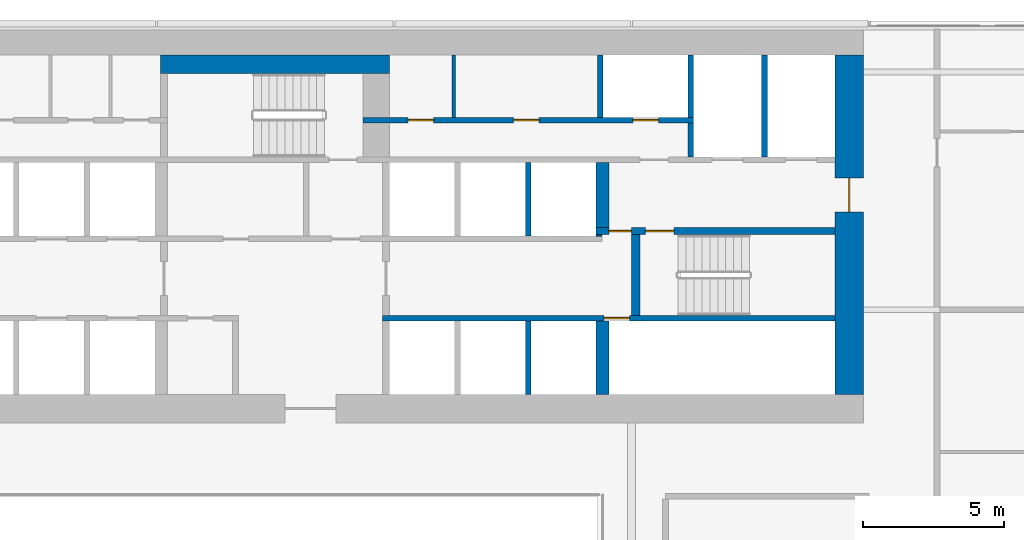
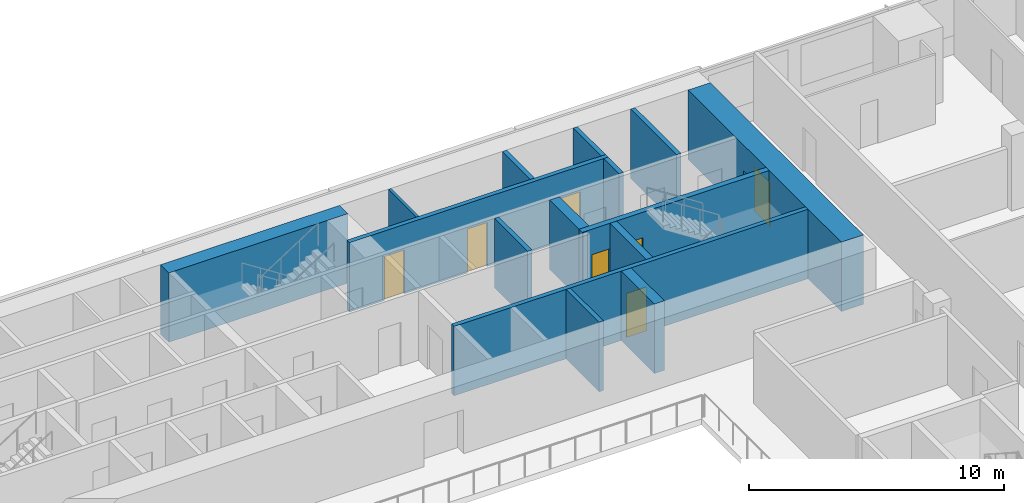
# One storey, part 22 of 27: 16 walls, 7 doors, 7 openings.
"""IFC4 building model written with IfcOpenShell, lengths in metres."""

from ifc_helpers import new_model, si_unit, direction, frame, frame_2d, origin, place, context, subcontext, project, spatial, rectangle, extrude, material, layer, layer_set, type_object, element, fill, save


model = new_model("IFC4")

# Units and contexts
model_context = context("Model", 3, precision=1e-05, world=origin(), true_north=direction((0.0, 1.0)))
body_context = subcontext(model_context, "Body", "Model", "MODEL_VIEW")
ifc_project = project(units=[si_unit("LENGTHUNIT", "METRE"), si_unit("AREAUNIT", "SQUARE_METRE"), si_unit("VOLUMEUNIT", "CUBIC_METRE"), si_unit("PLANEANGLEUNIT", "RADIAN"), si_unit("MASSUNIT", "GRAM", prefix="KILO")], contexts=[model_context])

# Site, building, storey
site_placement = place(None, origin())
site = spatial("IfcSite", under=ifc_project, at=site_placement, CompositionType="ELEMENT")
building_placement = place(site_placement, origin())
building = spatial("IfcBuilding", under=site, at=building_placement, Name="Saffron Gate Tower", CompositionType="ELEMENT")
storey_placement = place(building_placement, frame((0.0, 0.0, 109.64990234375)))
storey = spatial("IfcBuildingStorey", under=building, at=storey_placement, Name="L25", CompositionType="ELEMENT", Elevation=109.64990234375)

# Wall, opening, door
ifc_material_1 = material(Name="Concrete C70", Category="concrete")
ifc_layer_1 = layer(ifc_material_1, 1.0)
ifc_layer_set_1 = layer_set([ifc_layer_1], Name="CW12 RC core wall 1000 C70")
wall_type_1 = type_object("IfcWallType", Name="CW12 RC core wall 1000 C70", PredefinedType="SOLIDWALL", material=ifc_layer_set_1)
wall_1_placement = place(storey_placement, frame((107.89990234375, 62.39990234375, 0.0), z_axis=(0.0, 0.0, 1.0), x_axis=(0.0, 1.0, 0.0)))
wall_1 = element("IfcWall", 1, at=wall_1_placement, inside=storey, type_object=wall_type_1, Name="Wall CW12-L25-4", PredefinedType="SOLIDWALL", context=body_context, shape_type="SweptSolid", body=[
    extrude(rectangle(XDim=12.0, YDim=1.0, at=frame_2d((6.0, 0.0))), origin(), (0.0, 0.0, 1.0), 3.320068359375),
])
opening_1_placement = place(wall_1_placement, frame((6.449951171875, 0.0, 0.0)))
opening_1 = element("IfcOpeningElement", 2, at=opening_1_placement, cuts=wall_1, Name="Opening CR-08", PredefinedType="OPENING", context=body_context, shape_type="SweptSolid", body=[
    extrude(rectangle(XDim=1.199951171875, YDim=2.10009765625, at=frame_2d((0.60009765625, 1.050048828125))), frame((0.0, 0.510009765625, 0.0), z_axis=(0.0, -1.0, 0.0), x_axis=(1.0, 0.0, 0.0)), (0.0, 0.0, 1.0), 1.02001953125),
])
ifc_material_2 = material(Name="Steel fire door set", Category="steel")
door_type_1 = type_object("IfcDoorType", Name="CD7 Core entrance door 1200x2100 EI 120", OperationType="NOTDEFINED", PredefinedType="DOOR", material=ifc_material_2)
door_1_placement = place(opening_1_placement, origin())
door_1 = element("IfcDoor", 3, at=door_1_placement, inside=storey, type_object=door_type_1, Name="DOOR CR-08", OperationType="SINGLE_SWING_RIGHT", OverallHeight=2.10009765625, OverallWidth=1.199951171875, PredefinedType="DOOR", context=body_context, shape_type="SweptSolid", body=[
    extrude(rectangle(XDim=1.199951171875, YDim=2.10009765625, at=frame_2d((0.60009765625, 1.050048828125))), frame((0.0, 0.02490234375, 0.0), z_axis=(0.0, -1.0, 0.0), x_axis=(1.0, 0.0, 0.0)), (0.0, 0.0, 1.0), 0.050048828125),
])
fill(opening_1, door_1)

# Wall, openings, doors
ifc_layer_2 = layer(ifc_material_1, 0.25)
ifc_layer_set_2 = layer_set([ifc_layer_2], Name="CW2 RC core wall 250 C70")
wall_type_2 = type_object("IfcWallType", Name="CW2 RC core wall 250 C70", PredefinedType="SOLIDWALL", material=ifc_layer_set_2)
wall_2_placement = place(storey_placement, frame((98.949951171875, 68.175048828125, 0.0), z_axis=(0.0, 0.0, 1.0), x_axis=(1.0, 0.0, 0.0)))
wall_2 = element("IfcWall", 4, at=wall_2_placement, inside=storey, type_object=wall_type_2, Name="Wall CW2-L25-30", PredefinedType="SOLIDWALL", context=body_context, shape_type="SweptSolid", body=[
    extrude(rectangle(XDim=8.449951171875, YDim=0.25, at=frame_2d((4.22509765625, 0.0))), origin(), (0.0, 0.0, 1.0), 3.320068359375),
])
opening_2_placement = place(wall_2_placement, frame((0.449951171875, 0.0, 0.0)))
opening_2 = element("IfcOpeningElement", 5, at=opening_2_placement, cuts=wall_2, Name="Opening CR-05", PredefinedType="OPENING", context=body_context, shape_type="SweptSolid", body=[
    extrude(rectangle(XDim=0.800048828125, YDim=2.10009765625, at=frame_2d((0.39990234375, 1.050048828125))), frame((0.0, 0.135009765625, 0.0), z_axis=(0.0, -1.0, 0.0), x_axis=(1.0, 0.0, 0.0)), (0.0, 0.0, 1.0), 0.27001953125),
])
opening_3_placement = place(wall_2_placement, frame((1.75, 0.0, 0.0)))
opening_3 = element("IfcOpeningElement", 6, at=opening_3_placement, cuts=wall_2, Name="Opening CR-16", PredefinedType="OPENING", context=body_context, shape_type="SweptSolid", body=[
    extrude(rectangle(XDim=1.0, YDim=2.10009765625, at=frame_2d((0.5, 1.050048828125))), frame((0.0, 0.135009765625, 0.0), z_axis=(0.0, -1.0, 0.0), x_axis=(1.0, 0.0, 0.0)), (0.0, 0.0, 1.0), 0.27001953125),
])
door_type_2 = type_object("IfcDoorType", Name="CD5 Stair door 1000x2100 EI 120", OperationType="NOTDEFINED", PredefinedType="DOOR", material=ifc_material_2)
door_2_placement = place(opening_3_placement, origin())
door_2 = element("IfcDoor", 7, at=door_2_placement, inside=storey, type_object=door_type_2, Name="DOOR CR-16", OperationType="SINGLE_SWING_RIGHT", OverallHeight=2.10009765625, OverallWidth=1.0, PredefinedType="DOOR", context=body_context, shape_type="SweptSolid", body=[
    extrude(rectangle(XDim=1.0, YDim=2.10009765625, at=frame_2d((0.5, 1.050048828125))), frame((0.0, 0.02490234375, 0.0), z_axis=(0.0, -1.0, 0.0), x_axis=(1.0, 0.0, 0.0)), (0.0, 0.0, 1.0), 0.050048828125),
])
fill(opening_3, door_2)
door_type_3 = type_object("IfcDoorType", Name="CD6 Lobby door 800x2100 EI 120", OperationType="NOTDEFINED", PredefinedType="DOOR", material=ifc_material_2)
door_3_placement = place(opening_2_placement, origin())
door_3 = element("IfcDoor", 8, at=door_3_placement, inside=storey, type_object=door_type_3, Name="DOOR CR-05", OperationType="SINGLE_SWING_LEFT", OverallHeight=2.10009765625, OverallWidth=0.800048828125, PredefinedType="DOOR", context=body_context, shape_type="SweptSolid", body=[
    extrude(rectangle(XDim=0.800048828125, YDim=2.10009765625, at=frame_2d((0.39990234375, 1.050048828125))), frame((0.0, 0.02490234375, 0.0), z_axis=(0.0, -1.0, 0.0), x_axis=(1.0, 0.0, 0.0)), (0.0, 0.0, 1.0), 0.050048828125),
])
fill(opening_2, door_3)

# Wall
ifc_layer_3 = layer(ifc_material_1, 0.199951171875)
ifc_layer_set_3 = layer_set([ifc_layer_3], Name="CW3 RC core wall 200 C70")
wall_type_3 = type_object("IfcWallType", Name="CW3 RC core wall 200 C70", PredefinedType="SOLIDWALL", material=ifc_layer_set_3)
wall_3_placement = place(storey_placement, frame((96.550048828125, 62.39990234375, 0.0), z_axis=(0.0, 0.0, 1.0), x_axis=(0.0, 1.0, 0.0)))
element("IfcWall", 9, at=wall_3_placement, inside=storey, type_object=wall_type_3, Name="Wall CW3-L25-12", PredefinedType="SOLIDWALL", context=body_context, shape_type="SweptSolid", body=[
    extrude(rectangle(XDim=2.60009765625, YDim=0.199951171875, at=frame_2d((1.300048828125, 0.0))), origin(), (0.0, 0.0, 1.0), 3.320068359375),
])

# Wall, opening, door
wall_4_placement = place(storey_placement, frame((91.39990234375, 65.10009765625, 0.0), z_axis=(0.0, 0.0, 1.0), x_axis=(1.0, 0.0, 0.0)))
wall_4 = element("IfcWall", 10, at=wall_4_placement, inside=storey, type_object=wall_type_3, Name="Wall CW3-L25-15", PredefinedType="SOLIDWALL", context=body_context, shape_type="SweptSolid", body=[
    extrude(rectangle(XDim=16.0, YDim=0.199951171875, at=frame_2d((8.0, 0.0))), origin(), (0.0, 0.0, 1.0), 3.320068359375),
])
opening_4_placement = place(wall_4_placement, frame((7.830078125, 0.0, 0.0)))
opening_4 = element("IfcOpeningElement", 11, at=opening_4_placement, cuts=wall_4, Name="Opening CR-48", PredefinedType="OPENING", context=body_context, shape_type="SweptSolid", body=[
    extrude(rectangle(XDim=0.89990234375, YDim=2.10009765625, at=frame_2d((0.449951171875, 1.050048828125))), frame((0.0, 0.10986328125, 0.0), z_axis=(0.0, -1.0, 0.0), x_axis=(1.0, 0.0, 0.0)), (0.0, 0.0, 1.0), 0.219970703125),
])
door_type_4 = type_object("IfcDoorType", Name="CD2 Riser door 900x2100 EI 60", OperationType="NOTDEFINED", PredefinedType="DOOR", material=ifc_material_2)
door_4_placement = place(opening_4_placement, origin())
door_4 = element("IfcDoor", 12, at=door_4_placement, inside=storey, type_object=door_type_4, Name="DOOR CR-48", OperationType="SINGLE_SWING_RIGHT", OverallHeight=2.10009765625, OverallWidth=0.89990234375, PredefinedType="DOOR", context=body_context, shape_type="SweptSolid", body=[
    extrude(rectangle(XDim=0.89990234375, YDim=2.10009765625, at=frame_2d((0.449951171875, 1.050048828125))), frame((0.0, 0.02490234375, 0.0), z_axis=(0.0, -1.0, 0.0), x_axis=(1.0, 0.0, 0.0)), (0.0, 0.0, 1.0), 0.050048828125),
])
fill(opening_4, door_4)

# Walls
wall_5_placement = place(storey_placement, frame((96.550048828125, 68.0, 0.0), z_axis=(0.0, 0.0, 1.0), x_axis=(0.0, 1.0, 0.0)))
element("IfcWall", 13, at=wall_5_placement, inside=storey, type_object=wall_type_3, Name="Wall CW3-L25-27", PredefinedType="SOLIDWALL", context=body_context, shape_type="SweptSolid", body=[
    extrude(rectangle(XDim=2.60009765625, YDim=0.199951171875, at=frame_2d((1.300048828125, 0.0))), origin(), (0.0, 0.0, 1.0), 3.320068359375),
])
wall_6_placement = place(storey_placement, frame((102.300048828125, 70.800048828125, 0.0), z_axis=(0.0, 0.0, 1.0), x_axis=(0.0, 1.0, 0.0)))
element("IfcWall", 14, at=wall_6_placement, inside=storey, type_object=wall_type_3, Name="Wall CW3-L25-38", PredefinedType="SOLIDWALL", context=body_context, shape_type="SweptSolid", body=[
    extrude(rectangle(XDim=1.199951171875, YDim=0.199951171875, at=frame_2d((0.60009765625, 0.0))), origin(), (0.0, 0.0, 1.0), 3.320068359375),
])
wall_7_placement = place(storey_placement, frame((104.89990234375, 70.800048828125, 0.0), z_axis=(0.0, 0.0, 1.0), x_axis=(0.0, 1.0, 0.0)))
element("IfcWall", 15, at=wall_7_placement, inside=storey, type_object=wall_type_3, Name="Wall CW3-L25-39", PredefinedType="SOLIDWALL", context=body_context, shape_type="SweptSolid", body=[
    extrude(rectangle(XDim=3.599853515625, YDim=0.199951171875, at=frame_2d((1.7998046875, 0.0))), origin(), (0.0, 0.0, 1.0), 3.320068359375),
])

# Wall, openings, doors
wall_8_placement = place(storey_placement, frame((90.699951171875, 72.10009765625, 0.0), z_axis=(0.0, 0.0, 1.0), x_axis=(1.0, 0.0, 0.0)))
wall_8 = element("IfcWall", 16, at=wall_8_placement, inside=storey, type_object=wall_type_3, Name="Wall CW3-L25-41", PredefinedType="SOLIDWALL", context=body_context, shape_type="SweptSolid", body=[
    extrude(rectangle(XDim=11.699951171875, YDim=0.199951171875, at=frame_2d((5.85009765625, 0.0))), origin(), (0.0, 0.0, 1.0), 3.320068359375),
])
opening_5_placement = place(wall_8_placement, frame((1.60009765625, 0.0, 0.0)))
opening_5 = element("IfcOpeningElement", 17, at=opening_5_placement, cuts=wall_8, Name="Opening CR-50", PredefinedType="OPENING", context=body_context, shape_type="SweptSolid", body=[
    extrude(rectangle(XDim=0.89990234375, YDim=2.10009765625, at=frame_2d((0.449951171875, 1.050048828125))), frame((0.0, 0.10986328125, 0.0), z_axis=(0.0, -1.0, 0.0), x_axis=(1.0, 0.0, 0.0)), (0.0, 0.0, 1.0), 0.219970703125),
])
opening_6_placement = place(wall_8_placement, frame((5.3349609375, 0.0, 0.0)))
opening_6 = element("IfcOpeningElement", 18, at=opening_6_placement, cuts=wall_8, Name="Opening CR-53", PredefinedType="OPENING", context=body_context, shape_type="SweptSolid", body=[
    extrude(rectangle(XDim=0.89990234375, YDim=2.10009765625, at=frame_2d((0.449951171875, 1.050048828125))), frame((0.0, 0.10986328125, 0.0), z_axis=(0.0, -1.0, 0.0), x_axis=(1.0, 0.0, 0.0)), (0.0, 0.0, 1.0), 0.219970703125),
])
opening_7_placement = place(wall_8_placement, frame((9.550048828125, 0.0, 0.0)))
opening_7 = element("IfcOpeningElement", 19, at=opening_7_placement, cuts=wall_8, Name="Opening CR-70", PredefinedType="OPENING", context=body_context, shape_type="SweptSolid", body=[
    extrude(rectangle(XDim=0.89990234375, YDim=2.10009765625, at=frame_2d((0.449951171875, 1.050048828125))), frame((0.0, 0.10986328125, 0.0), z_axis=(0.0, -1.0, 0.0), x_axis=(1.0, 0.0, 0.0)), (0.0, 0.0, 1.0), 0.219970703125),
])
door_5_placement = place(opening_7_placement, origin())
door_5 = element("IfcDoor", 20, at=door_5_placement, inside=storey, type_object=door_type_4, Name="DOOR CR-70", OperationType="SINGLE_SWING_LEFT", OverallHeight=2.10009765625, OverallWidth=0.89990234375, PredefinedType="DOOR", context=body_context, shape_type="SweptSolid", body=[
    extrude(rectangle(XDim=0.89990234375, YDim=2.10009765625, at=frame_2d((0.449951171875, 1.050048828125))), frame((0.0, 0.02490234375, 0.0), z_axis=(0.0, -1.0, 0.0), x_axis=(1.0, 0.0, 0.0)), (0.0, 0.0, 1.0), 0.050048828125),
])
fill(opening_7, door_5)
door_type_5 = type_object("IfcDoorType", Name="CD9 Room door 900x2100 EI 60", OperationType="NOTDEFINED", PredefinedType="DOOR", material=ifc_material_2)
door_6_placement = place(opening_5_placement, origin())
door_6 = element("IfcDoor", 21, at=door_6_placement, inside=storey, type_object=door_type_5, Name="DOOR CR-50", OperationType="SINGLE_SWING_LEFT", OverallHeight=2.10009765625, OverallWidth=0.89990234375, PredefinedType="DOOR", context=body_context, shape_type="SweptSolid", body=[
    extrude(rectangle(XDim=0.89990234375, YDim=2.10009765625, at=frame_2d((0.449951171875, 1.050048828125))), frame((0.0, 0.02490234375, 0.0), z_axis=(0.0, -1.0, 0.0), x_axis=(1.0, 0.0, 0.0)), (0.0, 0.0, 1.0), 0.050048828125),
])
fill(opening_5, door_6)
door_7_placement = place(opening_6_placement, origin())
door_7 = element("IfcDoor", 22, at=door_7_placement, inside=storey, type_object=door_type_5, Name="DOOR CR-53", OperationType="SINGLE_SWING_LEFT", OverallHeight=2.10009765625, OverallWidth=0.89990234375, PredefinedType="DOOR", context=body_context, shape_type="SweptSolid", body=[
    extrude(rectangle(XDim=0.89990234375, YDim=2.10009765625, at=frame_2d((0.449951171875, 1.050048828125))), frame((0.0, 0.02490234375, 0.0), z_axis=(0.0, -1.0, 0.0), x_axis=(1.0, 0.0, 0.0)), (0.0, 0.0, 1.0), 0.050048828125),
])
fill(opening_6, door_7)

# Walls
for number, where, z_axis, x_axis, name in (
    (23, (99.10009765625, 72.199951171875, 0.0), (0.0, 0.0, 1.0), (0.0, 1.0, 0.0), "Wall CW3-L25-49"),
    (24, (102.300048828125, 72.199951171875, 0.0), (0.0, 0.0, 1.0), (0.0, 1.0, 0.0), "Wall CW3-L25-50"),
):
    element("IfcWall", number, at=place(storey_placement, frame(where, z_axis=z_axis, x_axis=x_axis)), inside=storey, type_object=wall_type_3, Name=name, PredefinedType="SOLIDWALL", context=body_context, shape_type="SweptSolid", body=[
        extrude(rectangle(XDim=2.199951171875, YDim=0.199951171875, at=frame_2d((1.10009765625, 0.0))), origin(), (0.0, 0.0, 1.0), 3.320068359375),
    ])
ifc_layer_4 = layer(ifc_material_1, 0.449951171875)
ifc_layer_set_4 = layer_set([ifc_layer_4], Name="CW4 RC core wall 450 C70")
wall_type_4 = type_object("IfcWallType", Name="CW4 RC core wall 450 C70", PredefinedType="SOLIDWALL", material=ifc_layer_set_4)
wall_9_placement = place(storey_placement, frame((99.175048828125, 62.39990234375, 0.0), z_axis=(0.0, 0.0, 1.0), x_axis=(0.0, 1.0, 0.0)))
element("IfcWall", 25, at=wall_9_placement, inside=storey, type_object=wall_type_4, Name="Wall CW4-L25-13", PredefinedType="SOLIDWALL", context=body_context, shape_type="SweptSolid", body=[
    extrude(rectangle(XDim=2.60009765625, YDim=0.449951171875, at=frame_2d((1.300048828125, 0.0))), origin(), (0.0, 0.0, 1.0), 3.320068359375),
])
wall_10_placement = place(storey_placement, frame((99.175048828125, 68.300048828125, 0.0), z_axis=(0.0, 0.0, 1.0), x_axis=(0.0, 1.0, 0.0)))
element("IfcWall", 26, at=wall_10_placement, inside=storey, type_object=wall_type_4, Name="Wall CW4-L25-32", PredefinedType="SOLIDWALL", context=body_context, shape_type="SweptSolid", body=[
    extrude(rectangle(XDim=2.300048828125, YDim=0.449951171875, at=frame_2d((1.14990234375, 0.0))), origin(), (0.0, 0.0, 1.0), 3.320068359375),
])
ifc_layer_5 = layer(ifc_material_1, 0.300048828125)
ifc_layer_set_5 = layer_set([ifc_layer_5], Name="CW5 RC core wall 300 C70")
wall_type_5 = type_object("IfcWallType", Name="CW5 RC core wall 300 C70", PredefinedType="SOLIDWALL", material=ifc_layer_set_5)
wall_11_placement = place(storey_placement, frame((100.35009765625, 65.199951171875, 0.0), z_axis=(0.0, 0.0, 1.0), x_axis=(0.0, 1.0, 0.0)))
element("IfcWall", 27, at=wall_11_placement, inside=storey, type_object=wall_type_5, Name="Wall CW5-L25-19", PredefinedType="SOLIDWALL", context=body_context, shape_type="SweptSolid", body=[
    extrude(rectangle(XDim=2.85009765625, YDim=0.300048828125, at=frame_2d((1.425048828125, 0.0))), origin(), (0.0, 0.0, 1.0), 3.320068359375),
])
ifc_layer_6 = layer(ifc_material_1, 0.050048828125)
ifc_layer_set_6 = layer_set([ifc_layer_6], Name="CW6 RC core wall 50 C70")
wall_type_6 = type_object("IfcWallType", Name="CW6 RC core wall 50 C70", PredefinedType="SOLIDWALL", material=ifc_layer_set_6)
wall_12_placement = place(storey_placement, frame((98.949951171875, 68.02490234375, 0.0), z_axis=(0.0, 0.0, 1.0), x_axis=(1.0, 0.0, 0.0)))
element("IfcWall", 28, at=wall_12_placement, inside=storey, type_object=wall_type_6, Name="Wall CW6-L25-28", PredefinedType="SOLIDWALL", context=body_context, shape_type="SweptSolid", body=[
    extrude(rectangle(XDim=0.199951171875, YDim=0.050048828125, at=frame_2d((0.10009765625, 0.0))), origin(), (0.0, 0.0, 1.0), 3.320068359375),
])
ifc_material_3 = material(Name="Gypsum board partition on steel studs", Category="steel")
ifc_layer_7 = layer(ifc_material_3, 0.1201171875)
ifc_layer_set_7 = layer_set([ifc_layer_7], Name="CW8 Core partition 120")
wall_type_7 = type_object("IfcWallType", Name="CW8 Core partition 120", PredefinedType="PARTITIONING", material=ifc_layer_set_7)
wall_13_placement = place(storey_placement, frame((93.909912109375, 72.199951171875, 0.0), z_axis=(0.0, 0.0, 1.0), x_axis=(0.0, 1.0, 0.0)))
element("IfcWall", 29, at=wall_13_placement, inside=storey, type_object=wall_type_7, Name="Wall CW8-L25-48", PredefinedType="PARTITIONING", context=body_context, shape_type="SweptSolid", body=[
    extrude(rectangle(XDim=2.199951171875, YDim=0.1201171875, at=frame_2d((1.10009765625, 0.0))), origin(), (0.0, 0.0, 1.0), 3.320068359375),
])
ifc_layer_8 = layer(ifc_material_1, 0.64990234375)
ifc_layer_set_8 = layer_set([ifc_layer_8], Name="CW9 RC core wall 650 C70")
wall_type_8 = type_object("IfcWallType", Name="CW9 RC core wall 650 C70", PredefinedType="SOLIDWALL", material=ifc_layer_set_8)
wall_14_placement = place(storey_placement, frame((83.550048828125, 74.074951171875, 0.0), z_axis=(0.0, 0.0, 1.0), x_axis=(1.0, 0.0, 0.0)))
element("IfcWall", 30, at=wall_14_placement, inside=storey, type_object=wall_type_8, Name="Wall CW9-L25-51", PredefinedType="SOLIDWALL", context=body_context, shape_type="SweptSolid", body=[
    extrude(rectangle(XDim=8.099853515625, YDim=0.64990234375, at=frame_2d((4.0498046875, 0.0))), origin(), (0.0, 0.0, 1.0), 3.320068359375),
])

save(model, "model.ifc")
